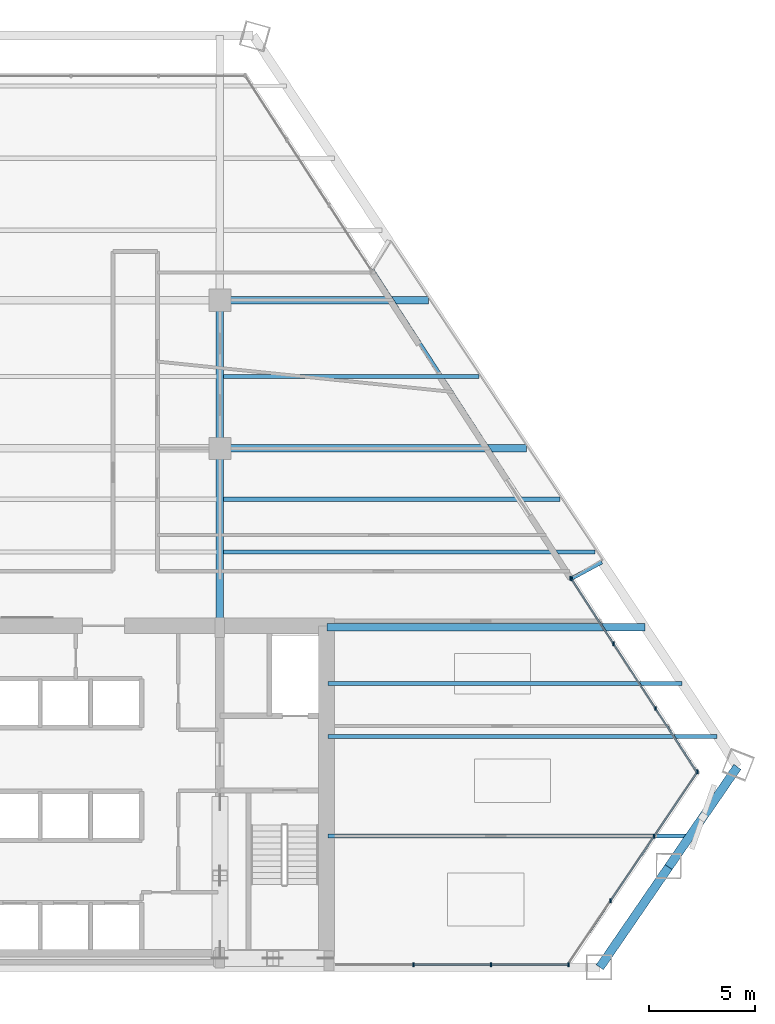
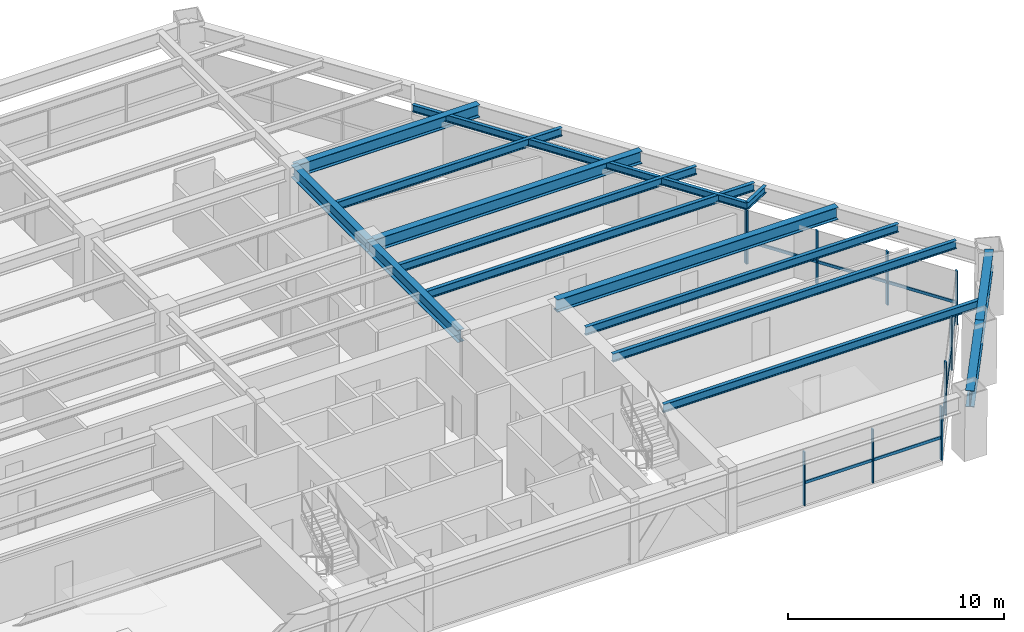
# One storey, part 6 of 14: 18 members, 15 beams, 3 elements without a shape of their own.
"""IFC4 building model written with IfcOpenShell, lengths in metres."""

from ifc_helpers import new_model, si_unit, direction, frame, origin, origin_2d, place, context, subcontext, project, spatial, rectangle, i_section, extrude, source, transform, mapped, material, material_profile, profile_set, type_object, type_shapes, element, aggregate, save


model = new_model("IFC4")

# Units and contexts
model_context = context("Model", 3, precision=1e-05, world=origin(), true_north=direction((0.0, 1.0)))
body_context = subcontext(model_context, "Body", "Model", "MODEL_VIEW")
ifc_project = project(units=[si_unit("LENGTHUNIT", "METRE"), si_unit("AREAUNIT", "SQUARE_METRE"), si_unit("VOLUMEUNIT", "CUBIC_METRE"), si_unit("PLANEANGLEUNIT", "RADIAN"), si_unit("MASSUNIT", "GRAM", prefix="KILO")], contexts=[model_context])

# Site, building, storey
site_placement = place(None, origin())
site = spatial("IfcSite", under=ifc_project, at=site_placement, CompositionType="ELEMENT")
building_placement = place(site_placement, origin())
building = spatial("IfcBuilding", under=site, at=building_placement, Name="Varnakhor Terracotta Tower", CompositionType="ELEMENT")
storey_placement = place(building_placement, frame((0.0, 0.0, 91.39990234375)))
storey = spatial("IfcBuildingStorey", under=building, at=storey_placement, Name="L22", CompositionType="ELEMENT", Elevation=91.39990234375)

# Beams
ifc_material_1 = material(Name="Steel S355", Category="steel")
ifc_material_profile_1 = material_profile(ifc_material_1, i_section(OverallWidth=0.35498046875, OverallDepth=0.695068359375, WebThickness=0.014892578125, FlangeThickness=0.02490234375, FilletRadius=0.01806640625, at=origin_2d()), Name="W27X146")
ifc_profile_set_1 = profile_set([ifc_material_profile_1], Name="Steel S355")
beam_type_1 = type_object("IfcBeamType", Name="BM-W27X146", PredefinedType="BEAM", material=ifc_profile_set_1)
shared_shape_1 = source(origin(), body_context, "Body", "SweptSolid", [
    extrude(i_section(OverallWidth=0.35498046875, OverallDepth=0.695068359375, WebThickness=0.014892578125, FlangeThickness=0.02490234375, FilletRadius=0.01806640625, at=origin_2d()), origin(), (0.0, 0.0, 1.0), 8.449951171875),
])
type_shapes(beam_type_1, [shared_shape_1])
beam_1_placement = place(storey_placement, frame((5.5, 16.050048828125, 3.1025390625), z_axis=(0.0, 1.0, 0.0), x_axis=(-1.0, 0.0, 0.0)))
element("IfcBeam", 1, at=beam_1_placement, inside=storey, type_object=beam_type_1, Name="L22 Primary Girder NS1-E", PredefinedType="BEAM", context=body_context, shape_type="MappedRepresentation", body=[
    mapped(shared_shape_1, transform((0.0, 0.0, 0.0), scale=1.0)),
])
shared_shape_2 = source(origin(), body_context, "Body", "SweptSolid", [
    extrude(i_section(OverallWidth=0.35498046875, OverallDepth=0.695068359375, WebThickness=0.014892578125, FlangeThickness=0.02490234375, FilletRadius=0.01806640625, at=origin_2d()), origin(), (0.0, 0.0, 1.0), 7.0),
])
beam_2_placement = place(storey_placement, frame((5.5, 24.5, 3.1025390625), z_axis=(0.0, 1.0, 0.0), x_axis=(-1.0, 0.0, 0.0)))
element("IfcBeam", 2, at=beam_2_placement, inside=storey, type_object=beam_type_1, Name="L22 Primary Girder NS2-E", PredefinedType="BEAM", context=body_context, shape_type="MappedRepresentation", body=[
    mapped(shared_shape_2, transform((0.0, 0.0, 0.0), scale=1.0)),
])
ifc_material_profile_2 = material_profile(ifc_material_1, i_section(OverallWidth=0.41796875, OverallDepth=0.927001953125, WebThickness=0.01904296875, FlangeThickness=0.031982421875, FilletRadius=0.01806640625, at=origin_2d()), Name="W36X231")
ifc_profile_set_2 = profile_set([ifc_material_profile_2], Name="Steel S355")
beam_type_2 = type_object("IfcBeamType", Name="BM-W36X231", PredefinedType="BEAM", material=ifc_profile_set_2)
shared_shape_3 = source(origin(), body_context, "Body", "SweptSolid", [
    extrude(i_section(OverallWidth=0.41796875, OverallDepth=0.927001953125, WebThickness=0.01904296875, FlangeThickness=0.031982421875, FilletRadius=0.01806640625, at=origin_2d()), origin(), (0.0, 0.0, 1.0), 5.738525390625),
])
for number, where, z_axis, x_axis, name in (
    (3, (23.437255859375, 0.0, 2.986572265625), (0.565997871593, 0.824406701423, 0.0), (-0.824406701423, 0.565997871593, 0.0), "L22 Perimeter Spandrel 2"),
    (4, (26.685302734375, 4.73095703125, 2.986572265625), (0.565997871593, 0.824406701423, 0.0), (-0.824406701423, 0.565997871593, 0.0), "L22 Perimeter Spandrel 3"),
):
    element("IfcBeam", number, at=place(storey_placement, frame(where, z_axis=z_axis, x_axis=x_axis)), inside=storey, type_object=beam_type_2, Name=name, PredefinedType="BEAM", context=body_context, shape_type="MappedRepresentation", body=[
        mapped(shared_shape_3, transform((0.0, 0.0, 0.0), scale=1.0)),
    ])
ifc_material_profile_3 = material_profile(ifc_material_1, i_section(OverallWidth=0.179931640625, OverallDepth=0.39990234375, WebThickness=0.008544921875, FlangeThickness=0.013427734375, FilletRadius=0.01806640625, at=origin_2d()), Name="IPE400")
ifc_profile_set_3 = profile_set([ifc_material_profile_3], Name="Steel S355")
beam_type_3 = type_object("IfcBeamType", Name="JST-IPE400", PredefinedType="JOIST", material=ifc_profile_set_3)
shared_shape_4 = source(origin(), body_context, "Body", "SweptSolid", [
    extrude(i_section(OverallWidth=0.179931640625, OverallDepth=0.39990234375, WebThickness=0.008544921875, FlangeThickness=0.013427734375, FilletRadius=0.01806640625, at=origin_2d()), origin(), (0.0, 0.0, 1.0), 17.37109375),
])
beam_3_placement = place(storey_placement, frame((22.114501953125, 18.362548828125, 3.25), z_axis=(-0.543385302229, 0.839483420516, 0.0), x_axis=(-0.839483420516, -0.543385302229, 0.0)))
element("IfcBeam", 5, at=beam_3_placement, inside=storey, type_object=beam_type_3, Name="L22 Loggia Edge Beam 1", PredefinedType="JOIST", context=body_context, shape_type="MappedRepresentation", body=[
    mapped(shared_shape_4, transform((0.0, 0.0, 0.0), scale=1.0)),
])
shared_shape_5 = source(origin(), body_context, "Body", "SweptSolid", [
    extrude(i_section(OverallWidth=0.35498046875, OverallDepth=0.695068359375, WebThickness=0.014892578125, FlangeThickness=0.02490234375, FilletRadius=0.01806640625, at=origin_2d()), origin(), (0.0, 0.0, 1.0), 15.01953125),
])
beam_4_placement = place(storey_placement, frame((10.550048828125, 16.050048828125, 3.1025390625), z_axis=(1.0, 0.0, 0.0), x_axis=(0.0, 1.0, 0.0)))
element("IfcBeam", 6, at=beam_4_placement, inside=storey, type_object=beam_type_1, Name="L22 Wing Girder E", PredefinedType="BEAM", context=body_context, shape_type="MappedRepresentation", body=[
    mapped(shared_shape_5, transform((0.0, 0.0, 0.0), scale=1.0)),
])
shared_shape_6 = source(origin(), body_context, "Body", "SweptSolid", [
    extrude(i_section(OverallWidth=0.35498046875, OverallDepth=0.695068359375, WebThickness=0.014892578125, FlangeThickness=0.02490234375, FilletRadius=0.01806640625, at=origin_2d()), origin(), (0.0, 0.0, 1.0), 14.472900390625),
])
beam_5_placement = place(storey_placement, frame((5.5, 24.5, 3.1025390625), z_axis=(1.0, 0.0, 0.0), x_axis=(0.0, 1.0, 0.0)))
element("IfcBeam", 7, at=beam_5_placement, inside=storey, type_object=beam_type_1, Name="L22 Primary Girder EW2-3", PredefinedType="BEAM", context=body_context, shape_type="MappedRepresentation", body=[
    mapped(shared_shape_6, transform((0.0, 0.0, 0.0), scale=1.0)),
])
shared_shape_7 = source(origin(), body_context, "Body", "SweptSolid", [
    extrude(i_section(OverallWidth=0.35498046875, OverallDepth=0.695068359375, WebThickness=0.014892578125, FlangeThickness=0.02490234375, FilletRadius=0.01806640625, at=origin_2d()), origin(), (0.0, 0.0, 1.0), 9.83642578125),
])
beam_6_placement = place(storey_placement, frame((5.5, 31.5, 3.1025390625), z_axis=(1.0, 0.0, 0.0), x_axis=(0.0, 1.0, 0.0)))
element("IfcBeam", 8, at=beam_6_placement, inside=storey, type_object=beam_type_1, Name="L22 Primary Girder EW3-3", PredefinedType="BEAM", context=body_context, shape_type="MappedRepresentation", body=[
    mapped(shared_shape_7, transform((0.0, 0.0, 0.0), scale=1.0)),
])
ifc_material_profile_4 = material_profile(ifc_material_1, i_section(OverallWidth=0.19189453125, OverallDepth=0.462890625, WebThickness=0.010498046875, FlangeThickness=0.017578125, FilletRadius=0.01806640625, at=origin_2d()), Name="W18X60")
ifc_profile_set_4 = profile_set([ifc_material_profile_4], Name="Steel S355")
beam_type_4 = type_object("IfcBeamType", Name="JST-W18X60", PredefinedType="JOIST", material=ifc_profile_set_4)
shared_shape_8 = source(origin(), body_context, "Body", "SweptSolid", [
    extrude(i_section(OverallWidth=0.19189453125, OverallDepth=0.462890625, WebThickness=0.010498046875, FlangeThickness=0.017578125, FilletRadius=0.01806640625, at=origin_2d()), origin(), (0.0, 0.0, 1.0), 17.09375),
])
beam_7_placement = place(storey_placement, frame((10.60009765625, 6.199951171875, 3.218505859375), z_axis=(1.0, 0.0, 0.0), x_axis=(0.0, 1.0, 0.0)))
element("IfcBeam", 9, at=beam_7_placement, inside=storey, type_object=beam_type_4, Name="L22 Floor Joist E1", PredefinedType="JOIST", context=body_context, shape_type="MappedRepresentation", body=[
    mapped(shared_shape_8, transform((0.0, 0.0, 0.0), scale=1.0)),
])
shared_shape_9 = source(origin(), body_context, "Body", "SweptSolid", [
    extrude(i_section(OverallWidth=0.19189453125, OverallDepth=0.462890625, WebThickness=0.010498046875, FlangeThickness=0.017578125, FilletRadius=0.01806640625, at=origin_2d()), origin(), (0.0, 0.0, 1.0), 18.380615234375),
])
beam_8_placement = place(storey_placement, frame((10.60009765625, 10.89990234375, 3.218505859375), z_axis=(1.0, 0.0, 0.0), x_axis=(0.0, 1.0, 0.0)))
element("IfcBeam", 10, at=beam_8_placement, inside=storey, type_object=beam_type_4, Name="L22 Floor Joist E2", PredefinedType="JOIST", context=body_context, shape_type="MappedRepresentation", body=[
    mapped(shared_shape_9, transform((0.0, 0.0, 0.0), scale=1.0)),
])
shared_shape_10 = source(origin(), body_context, "Body", "SweptSolid", [
    extrude(i_section(OverallWidth=0.19189453125, OverallDepth=0.462890625, WebThickness=0.010498046875, FlangeThickness=0.017578125, FilletRadius=0.01806640625, at=origin_2d()), origin(), (0.0, 0.0, 1.0), 16.724853515625),
])
beam_9_placement = place(storey_placement, frame((10.60009765625, 13.39990234375, 3.218505859375), z_axis=(1.0, 0.0, 0.0), x_axis=(0.0, 1.0, 0.0)))
element("IfcBeam", 11, at=beam_9_placement, inside=storey, type_object=beam_type_4, Name="L22 Floor Joist E3", PredefinedType="JOIST", context=body_context, shape_type="MappedRepresentation", body=[
    mapped(shared_shape_10, transform((0.0, 0.0, 0.0), scale=1.0)),
])
shared_shape_11 = source(origin(), body_context, "Body", "SweptSolid", [
    extrude(i_section(OverallWidth=0.19189453125, OverallDepth=0.462890625, WebThickness=0.010498046875, FlangeThickness=0.017578125, FilletRadius=0.01806640625, at=origin_2d()), origin(), (0.0, 0.0, 1.0), 17.544921875),
])
beam_10_placement = place(storey_placement, frame((5.673583984375, 19.60009765625, 3.218505859375), z_axis=(1.0, 0.0, 0.0), x_axis=(0.0, 1.0, 0.0)))
element("IfcBeam", 12, at=beam_10_placement, inside=storey, type_object=beam_type_4, Name="L22 Composite Floor Joist 4-3", PredefinedType="JOIST", context=body_context, shape_type="MappedRepresentation", body=[
    mapped(shared_shape_11, transform((0.0, 0.0, 0.0), scale=1.0)),
])
shared_shape_12 = source(origin(), body_context, "Body", "SweptSolid", [
    extrude(i_section(OverallWidth=0.19189453125, OverallDepth=0.462890625, WebThickness=0.010498046875, FlangeThickness=0.017578125, FilletRadius=0.01806640625, at=origin_2d()), origin(), (0.0, 0.0, 1.0), 15.888916015625),
])
beam_11_placement = place(storey_placement, frame((5.673583984375, 22.10009765625, 3.218505859375), z_axis=(1.0, 0.0, 0.0), x_axis=(0.0, 1.0, 0.0)))
element("IfcBeam", 13, at=beam_11_placement, inside=storey, type_object=beam_type_4, Name="L22 Composite Floor Joist 5-3", PredefinedType="JOIST", context=body_context, shape_type="MappedRepresentation", body=[
    mapped(shared_shape_12, transform((0.0, 0.0, 0.0), scale=1.0)),
])
shared_shape_13 = source(origin(), body_context, "Body", "SweptSolid", [
    extrude(i_section(OverallWidth=0.19189453125, OverallDepth=0.462890625, WebThickness=0.010498046875, FlangeThickness=0.017578125, FilletRadius=0.01806640625, at=origin_2d()), origin(), (0.0, 0.0, 1.0), 12.04736328125),
])
beam_12_placement = place(storey_placement, frame((5.673583984375, 27.89990234375, 3.218505859375), z_axis=(1.0, 0.0, 0.0), x_axis=(0.0, 1.0, 0.0)))
element("IfcBeam", 14, at=beam_12_placement, inside=storey, type_object=beam_type_4, Name="L22 Composite Floor Joist 6-3", PredefinedType="JOIST", context=body_context, shape_type="MappedRepresentation", body=[
    mapped(shared_shape_13, transform((0.0, 0.0, 0.0), scale=1.0)),
])

# Curtain wall, members
ifc_material_2 = material(Name="Anodised Aluminium Curtain Wall System", Category="aluminium")
curtain_wall_type = type_object("IfcCurtainWallType", Name="CW-SYS-LOW-OFFICE", PredefinedType="NOTDEFINED", material=ifc_material_2)
curtain_wall_1_placement = place(storey_placement, origin())
curtain_wall_1 = element("IfcCurtainWall", 15, at=curtain_wall_1_placement, inside=storey, type_object=curtain_wall_type, Name="L22 E Facet Curtain Wall 2", PredefinedType="NOTDEFINED")
ifc_material_3 = material(Name="Anodised Aluminium 6063-T6", Category="aluminium")
ifc_material_profile_5 = material_profile(ifc_material_3, rectangle(XDim=0.074951171875, YDim=0.18505859375, at=origin_2d()), Name="ALU MULLION 75x185")
ifc_profile_set_5 = profile_set([ifc_material_profile_5], Name="Anodised Aluminium 6063-T6")
member_type_1 = type_object("IfcMemberType", Name="CWM-02", PredefinedType="MULLION", material=ifc_profile_set_5)
shared_shape_14 = source(origin(), body_context, "Body", "SweptSolid", [
    extrude(rectangle(XDim=0.074951171875, YDim=0.18505859375, at=origin_2d()), origin(), (0.0, 0.0, 1.0), 3.030029296875),
])
type_shapes(member_type_1, [shared_shape_14])
member_1_placement = place(storey_placement, frame((22.0927734375, 18.347900390625, 0.0), z_axis=(0.0, 0.0, 1.0), x_axis=(1.0, 0.0, 0.0)))
member_1 = element("IfcMember", 16, at=member_1_placement, type_object=member_type_1, Name="L22 E Facet Curtain Wall 2 Mullion 1", PredefinedType="MULLION", context=body_context, shape_type="MappedRepresentation", body=[
    mapped(shared_shape_14, transform((0.0, 0.0, 0.0), scale=1.0)),
])
member_2_placement = place(storey_placement, frame((24.080078125, 15.2841796875, 0.0), z_axis=(0.0, 0.0, 1.0), x_axis=(1.0, 0.0, 0.0)))
member_2 = element("IfcMember", 17, at=member_2_placement, type_object=member_type_1, Name="L22 E Facet Curtain Wall 2 Mullion 2", PredefinedType="MULLION", context=body_context, shape_type="MappedRepresentation", body=[
    mapped(shared_shape_14, transform((0.0, 0.0, 0.0), scale=1.0)),
])
member_3_placement = place(storey_placement, frame((26.0673828125, 12.220703125, 0.0), z_axis=(0.0, 0.0, 1.0), x_axis=(1.0, 0.0, 0.0)))
member_3 = element("IfcMember", 18, at=member_3_placement, type_object=member_type_1, Name="L22 E Facet Curtain Wall 2 Mullion 3", PredefinedType="MULLION", context=body_context, shape_type="MappedRepresentation", body=[
    mapped(shared_shape_14, transform((0.0, 0.0, 0.0), scale=1.0)),
])
member_4_placement = place(storey_placement, frame((22.059814453125, 18.3623046875, 0.0), z_axis=(0.0, 0.0, 1.0), x_axis=(1.0, 0.0, 0.0)))
member_4 = element("IfcMember", 19, at=member_4_placement, type_object=member_type_1, Name="L22 E Loggia Jamb Closure Mullion 2", PredefinedType="MULLION", context=body_context, shape_type="MappedRepresentation", body=[
    mapped(shared_shape_14, transform((0.0, 0.0, 0.0), scale=1.0)),
])

curtain_wall_2_placement = place(storey_placement, origin())
curtain_wall_2 = element("IfcCurtainWall", 20, at=curtain_wall_2_placement, inside=storey, type_object=curtain_wall_type, Name="L22 Facet Curtain Wall 4", PredefinedType="NOTDEFINED")
member_5_placement = place(storey_placement, frame((28.05517578125, 9.2392578125, 0.0), z_axis=(0.0, 0.0, 1.0), x_axis=(1.0, 0.0, 0.0)))
member_5 = element("IfcMember", 21, at=member_5_placement, type_object=member_type_1, Name="L22 Facet Curtain Wall 4 Mullion 1", PredefinedType="MULLION", context=body_context, shape_type="MappedRepresentation", body=[
    mapped(shared_shape_14, transform((0.0, 0.0, 0.0), scale=1.0)),
])
member_6_placement = place(storey_placement, frame((26.001220703125, 6.190185546875, 0.0), z_axis=(0.0, 0.0, 1.0), x_axis=(1.0, 0.0, 0.0)))
member_6 = element("IfcMember", 22, at=member_6_placement, type_object=member_type_1, Name="L22 Facet Curtain Wall 4 Mullion 2", PredefinedType="MULLION", context=body_context, shape_type="MappedRepresentation", body=[
    mapped(shared_shape_14, transform((0.0, 0.0, 0.0), scale=1.0)),
])
member_7_placement = place(storey_placement, frame((23.947021484375, 3.14111328125, 0.0), z_axis=(0.0, 0.0, 1.0), x_axis=(1.0, 0.0, 0.0)))
member_7 = element("IfcMember", 23, at=member_7_placement, type_object=member_type_1, Name="L22 Facet Curtain Wall 4 Mullion 3", PredefinedType="MULLION", context=body_context, shape_type="MappedRepresentation", body=[
    mapped(shared_shape_14, transform((0.0, 0.0, 0.0), scale=1.0)),
])

curtain_wall_3_placement = place(storey_placement, origin())
curtain_wall_3 = element("IfcCurtainWall", 24, at=curtain_wall_3_placement, inside=storey, type_object=curtain_wall_type, Name="L22 South Wing Curtain Wall SSE", PredefinedType="NOTDEFINED")
member_8_placement = place(storey_placement, frame((21.965576171875, 0.1201171875, 0.0), z_axis=(0.0, 0.0, 1.0), x_axis=(1.0, 0.0, 0.0)))
member_8 = element("IfcMember", 25, at=member_8_placement, type_object=member_type_1, Name="L22 South Wing Curtain Wall SSE Mullion 1", PredefinedType="MULLION", context=body_context, shape_type="MappedRepresentation", body=[
    mapped(shared_shape_14, transform((0.0, 0.0, 0.0), scale=1.0)),
])
member_9_placement = place(storey_placement, frame((18.30029296875, 0.1201171875, 0.0), z_axis=(0.0, 0.0, 1.0), x_axis=(1.0, 0.0, 0.0)))
member_9 = element("IfcMember", 26, at=member_9_placement, type_object=member_type_1, Name="L22 South Wing Curtain Wall SSE Mullion 2", PredefinedType="MULLION", context=body_context, shape_type="MappedRepresentation", body=[
    mapped(shared_shape_14, transform((0.0, 0.0, 0.0), scale=1.0)),
])
member_10_placement = place(storey_placement, frame((14.63525390625, 0.1201171875, 0.0), z_axis=(0.0, 0.0, 1.0), x_axis=(1.0, 0.0, 0.0)))
member_10 = element("IfcMember", 27, at=member_10_placement, type_object=member_type_1, Name="L22 South Wing Curtain Wall SSE Mullion 3", PredefinedType="MULLION", context=body_context, shape_type="MappedRepresentation", body=[
    mapped(shared_shape_14, transform((0.0, 0.0, 0.0), scale=1.0)),
])

# Member
ifc_material_profile_6 = material_profile(ifc_material_3, rectangle(XDim=0.074951171875, YDim=0.1650390625, at=origin_2d()), Name="ALU TRANSOM 75x165")
ifc_profile_set_6 = profile_set([ifc_material_profile_6], Name="Anodised Aluminium 6063-T6")
member_type_2 = type_object("IfcMemberType", Name="CWT-02", PredefinedType="USERDEFINED", material=ifc_profile_set_6)
shared_shape_15 = source(origin(), body_context, "Body", "SweptSolid", [
    extrude(rectangle(XDim=0.074951171875, YDim=0.1650390625, at=origin_2d()), origin(), (0.0, 0.0, 1.0), 3.65185546875),
])
member_11_placement = place(storey_placement, frame((22.0927734375, 18.347900390625, 1.272705078125), z_axis=(0.544196192223, -0.838957987249, 0.0), x_axis=(0.838957987249, 0.544196192223, 0.0)))
member_11 = element("IfcMember", 28, at=member_11_placement, type_object=member_type_2, Name="L22 E Facet Curtain Wall 2 Transom 1", ObjectType="TRANSOM", PredefinedType="USERDEFINED", context=body_context, shape_type="MappedRepresentation", body=[
    mapped(shared_shape_15, transform((0.0, 0.0, 0.0), scale=1.0)),
])

shared_shape_16 = source(origin(), body_context, "Body", "SweptSolid", [
    extrude(rectangle(XDim=0.074951171875, YDim=0.1650390625, at=origin_2d()), origin(), (0.0, 0.0, 1.0), 3.651611328125),
])
member_12_placement = place(storey_placement, frame((24.080078125, 15.2841796875, 1.272705078125), z_axis=(0.544226716546, -0.838938186637, 0.0), x_axis=(0.838938186637, 0.544226716546, 0.0)))
member_12 = element("IfcMember", 29, at=member_12_placement, type_object=member_type_2, Name="L22 E Facet Curtain Wall 2 Transom 2", ObjectType="TRANSOM", PredefinedType="USERDEFINED", context=body_context, shape_type="MappedRepresentation", body=[
    mapped(shared_shape_16, transform((0.0, 0.0, 0.0), scale=1.0)),
])

member_13_placement = place(storey_placement, frame((26.0673828125, 12.220703125, 1.272705078125), z_axis=(0.544149134033, -0.838988510011, 0.0), x_axis=(0.838988510011, 0.544149134033, 0.0)))
member_13 = element("IfcMember", 30, at=member_13_placement, type_object=member_type_2, Name="L22 E Facet Curtain Wall 2 Transom 3", ObjectType="TRANSOM", PredefinedType="USERDEFINED", context=body_context, shape_type="MappedRepresentation", body=[
    mapped(shared_shape_16, transform((0.0, 0.0, 0.0), scale=1.0)),
])

aggregate(curtain_wall_1, [member_1, member_11, member_2, member_12, member_3, member_13, member_4])

shared_shape_17 = source(origin(), body_context, "Body", "SweptSolid", [
    extrude(rectangle(XDim=0.074951171875, YDim=0.1650390625, at=origin_2d()), origin(), (0.0, 0.0, 1.0), 3.67626953125),
])
member_14_placement = place(storey_placement, frame((28.05517578125, 9.2392578125, 1.272705078125), z_axis=(-0.558693614062, -0.82937412885, 0.0), x_axis=(0.82937412885, -0.558693614062, 0.0)))
member_14 = element("IfcMember", 31, at=member_14_placement, type_object=member_type_2, Name="L22 Facet Curtain Wall 4 Transom 1", ObjectType="TRANSOM", PredefinedType="USERDEFINED", context=body_context, shape_type="MappedRepresentation", body=[
    mapped(shared_shape_17, transform((0.0, 0.0, 0.0), scale=1.0)),
])

shared_shape_18 = source(origin(), body_context, "Body", "SweptSolid", [
    extrude(rectangle(XDim=0.074951171875, YDim=0.1650390625, at=origin_2d()), origin(), (0.0, 0.0, 1.0), 3.676513671875),
])
member_15_placement = place(storey_placement, frame((26.001220703125, 6.190185546875, 1.272705078125), z_axis=(-0.558739291277, -0.829343357352, 0.0), x_axis=(0.829343357352, -0.558739291277, 0.0)))
member_15 = element("IfcMember", 32, at=member_15_placement, type_object=member_type_2, Name="L22 Facet Curtain Wall 4 Transom 2", ObjectType="TRANSOM", PredefinedType="USERDEFINED", context=body_context, shape_type="MappedRepresentation", body=[
    mapped(shared_shape_18, transform((0.0, 0.0, 0.0), scale=1.0)),
])

shared_shape_19 = source(origin(), body_context, "Body", "SweptSolid", [
    extrude(rectangle(XDim=0.074951171875, YDim=0.1650390625, at=origin_2d()), origin(), (0.0, 0.0, 1.0), 3.6767578125),
])
member_16_placement = place(storey_placement, frame((23.947021484375, 3.14111328125, 1.272705078125), z_axis=(-0.558754192871, -0.829333317761, 0.0), x_axis=(0.829333317761, -0.558754192871, 0.0)))
member_16 = element("IfcMember", 33, at=member_16_placement, type_object=member_type_2, Name="L22 Facet Curtain Wall 4 Transom 3", ObjectType="TRANSOM", PredefinedType="USERDEFINED", context=body_context, shape_type="MappedRepresentation", body=[
    mapped(shared_shape_19, transform((0.0, 0.0, 0.0), scale=1.0)),
])

aggregate(curtain_wall_2, [member_5, member_14, member_6, member_15, member_7, member_16])

shared_shape_20 = source(origin(), body_context, "Body", "SweptSolid", [
    extrude(rectangle(XDim=0.074951171875, YDim=0.1650390625, at=origin_2d()), origin(), (0.0, 0.0, 1.0), 3.665283203125),
])
member_17_placement = place(storey_placement, frame((21.965576171875, 0.1201171875, 1.272705078125), z_axis=(-1.0, 0.0, 0.0), x_axis=(0.0, -1.0, 0.0)))
member_17 = element("IfcMember", 34, at=member_17_placement, type_object=member_type_2, Name="L22 South Wing Curtain Wall SSE Transom 1", ObjectType="TRANSOM", PredefinedType="USERDEFINED", context=body_context, shape_type="MappedRepresentation", body=[
    mapped(shared_shape_20, transform((0.0, 0.0, 0.0), scale=1.0)),
])

shared_shape_21 = source(origin(), body_context, "Body", "SweptSolid", [
    extrude(rectangle(XDim=0.074951171875, YDim=0.1650390625, at=origin_2d()), origin(), (0.0, 0.0, 1.0), 3.6650390625),
])
member_18_placement = place(storey_placement, frame((18.30029296875, 0.1201171875, 1.272705078125), z_axis=(-1.0, 0.0, 0.0), x_axis=(0.0, -1.0, 0.0)))
member_18 = element("IfcMember", 35, at=member_18_placement, type_object=member_type_2, Name="L22 South Wing Curtain Wall SSE Transom 2", ObjectType="TRANSOM", PredefinedType="USERDEFINED", context=body_context, shape_type="MappedRepresentation", body=[
    mapped(shared_shape_21, transform((0.0, 0.0, 0.0), scale=1.0)),
])

aggregate(curtain_wall_3, [member_8, member_17, member_9, member_18, member_10])

# Beam
shared_shape_22 = source(origin(), body_context, "Body", "SweptSolid", [
    extrude(i_section(OverallWidth=0.179931640625, OverallDepth=0.39990234375, WebThickness=0.008544921875, FlangeThickness=0.013427734375, FilletRadius=0.01806640625, at=origin_2d()), origin(), (0.0, 0.0, 1.0), 1.610107421875),
])
beam_13_placement = place(storey_placement, frame((22.114501953125, 18.362548828125, 3.25), z_axis=(0.879461249485, 0.475970493471, 0.0), x_axis=(-0.475970493471, 0.879461249485, 0.0)))
element("IfcBeam", 36, at=beam_13_placement, inside=storey, type_object=beam_type_3, Name="L23 E Loggia Tie Beam 2", PredefinedType="JOIST", context=body_context, shape_type="MappedRepresentation", body=[
    mapped(shared_shape_22, transform((0.0, 0.0, 0.0), scale=1.0)),
])

save(model, "model.ifc")
